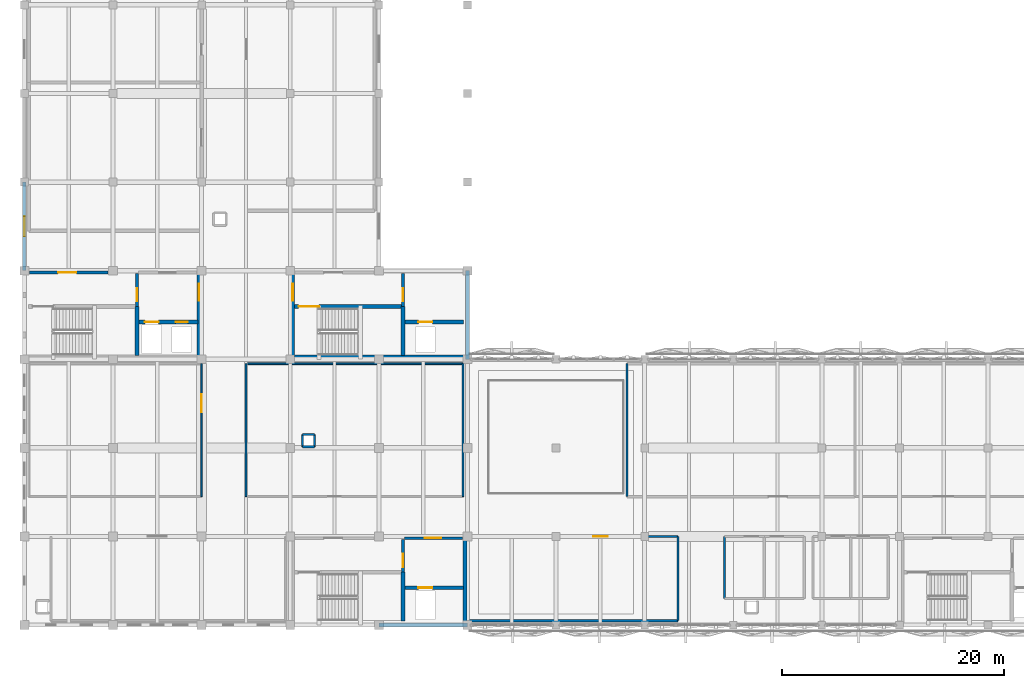
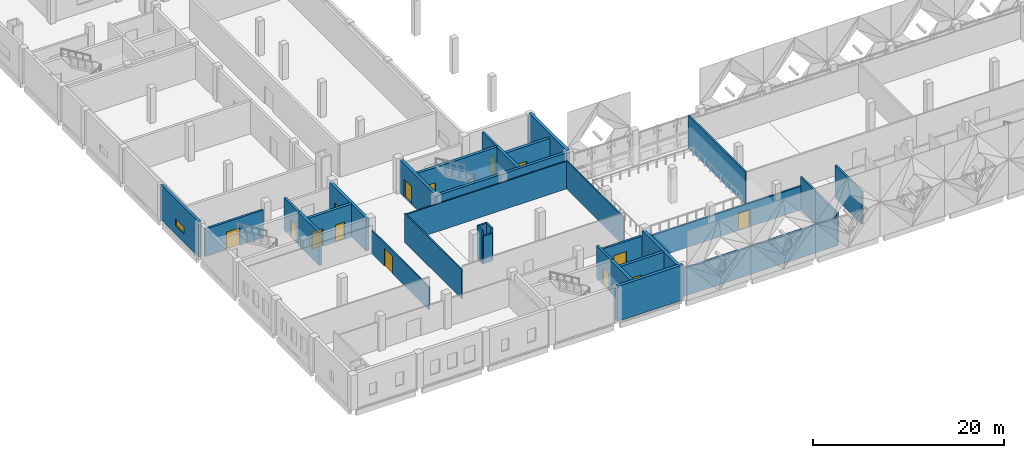
# One storey, part 22 of 37: 32 walls, 14 doors, 1 window, 15 openings.
"""IFC4 building model written with IfcOpenShell, lengths in metres."""

from ifc_helpers import new_model, si_unit, direction, frame, frame_2d, origin, place, context, subcontext, project, spatial, rectangle, extrude, material, layer, layer_set, type_object, element, fill, save


model = new_model("IFC4")

# Units and contexts
model_context = context("Model", 3, precision=1e-05, world=origin(), true_north=direction((0.0, 1.0)))
body_context = subcontext(model_context, "Body", "Model", "MODEL_VIEW")
ifc_project = project(units=[si_unit("LENGTHUNIT", "METRE"), si_unit("AREAUNIT", "SQUARE_METRE"), si_unit("VOLUMEUNIT", "CUBIC_METRE"), si_unit("PLANEANGLEUNIT", "RADIAN"), si_unit("MASSUNIT", "GRAM", prefix="KILO")], contexts=[model_context])

# Site, building, storey
site_placement = place(None, origin())
site = spatial("IfcSite", under=ifc_project, at=site_placement, CompositionType="ELEMENT")
building_placement = place(site_placement, origin())
building = spatial("IfcBuilding", under=site, at=building_placement, Name="Qorikala Patio Media Centre", CompositionType="ELEMENT")
storey_placement = place(building_placement, frame((0.0, 0.0, 14.39990234375)))
storey = spatial("IfcBuildingStorey", under=building, at=storey_placement, Name="L03", CompositionType="ELEMENT", Elevation=14.39990234375)

# Walls
ifc_material_1 = material(Name="Concrete C35/45", Category="concrete")
ifc_layer_1 = layer(ifc_material_1, 0.35009765625)
ifc_layer_set_1 = layer_set([ifc_layer_1], Name="Concrete C35/45")
wall_type_1 = type_object("IfcWallType", Name="WL-CORE-350", PredefinedType="SHEAR", material=ifc_layer_set_1)
wall_1_placement = place(storey_placement, frame((37.175048828125, 3.35009765625, 0.0), z_axis=(0.0, 0.0, 1.0), x_axis=(0.0, 1.0, 0.0)))
element("IfcWall", 1, at=wall_1_placement, inside=storey, type_object=wall_type_1, Name="L03 Interior Wall CW-L03-C1-SE", PredefinedType="SHEAR", context=body_context, shape_type="SweptSolid", body=[
    extrude(rectangle(XDim=4.4248046875, YDim=0.35009765625, at=frame_2d((2.21240234375, 0.0))), origin(), (0.0, 0.0, 1.0), 4.2001953125),
])
wall_2_placement = place(storey_placement, frame((42.77490234375, 3.199951171875, 0.0), z_axis=(0.0, 0.0, 1.0), x_axis=(0.0, 1.0, 0.0)))
element("IfcWall", 2, at=wall_2_placement, inside=storey, type_object=wall_type_1, Name="L03 Interior Wall CW-L03-C1-EE", PredefinedType="SHEAR", context=body_context, shape_type="SweptSolid", body=[
    extrude(rectangle(XDim=7.60009765625, YDim=0.35009765625, at=frame_2d((3.800048828125, 0.0))), origin(), (0.0, 0.0, 1.0), 4.2001953125),
])

# Wall, opening, door
wall_3_placement = place(storey_placement, frame((37.175048828125, 6.375, 0.0), z_axis=(0.0, 0.0, 1.0), x_axis=(1.0, 0.0, 0.0)))
wall_3 = element("IfcWall", 3, at=wall_3_placement, inside=storey, type_object=wall_type_1, Name="L03 Interior Wall CW-L03-C1-LFN", PredefinedType="SHEAR", context=body_context, shape_type="SweptSolid", body=[
    extrude(rectangle(XDim=5.474853515625, YDim=0.35009765625, at=frame_2d((2.7373046875, 0.0))), origin(), (0.0, 0.0, 1.0), 4.2001953125),
])
opening_1_placement = place(wall_3_placement, frame((1.39990234375, 0.0, 0.0)))
opening_1 = element("IfcOpeningElement", 4, at=opening_1_placement, cuts=wall_3, Name="Opening LD05", PredefinedType="OPENING", context=body_context, shape_type="SweptSolid", body=[
    extrude(rectangle(XDim=1.25, YDim=2.25, at=frame_2d((0.625, 1.125))), frame((0.0, 0.18505859375, 0.0), z_axis=(0.0, -1.0, 0.0), x_axis=(1.0, 0.0, 0.0)), (0.0, 0.0, 1.0), 0.3701171875),
])
ifc_material_2 = material(Name="Brushed Bronze Stainless Steel", Category="steel")
door_type_1 = type_object("IfcDoorType", Name="DR-LD-125X225", OperationType="DOUBLE_DOOR_SLIDING", PredefinedType="DOOR", material=ifc_material_2)
door_1_placement = place(opening_1_placement, origin())
door_1 = element("IfcDoor", 5, at=door_1_placement, inside=storey, type_object=door_type_1, Name="L03 Lift LF-01 Sliding Landing Door", OperationType="DOUBLE_DOOR_SLIDING", OverallHeight=2.25, OverallWidth=1.25, PredefinedType="DOOR", context=body_context, shape_type="SweptSolid", body=[
    extrude(rectangle(XDim=1.25, YDim=2.25, at=frame_2d((0.625, 1.125))), frame((0.0, 0.02490234375, 0.0), z_axis=(0.0, -1.0, 0.0), x_axis=(1.0, 0.0, 0.0)), (0.0, 0.0, 1.0), 0.050048828125),
])
fill(opening_1, door_1)

# Wall
wall_4_placement = place(storey_placement, frame((13.175048828125, 27.35009765625, 0.0), z_axis=(0.0, 0.0, 1.0), x_axis=(0.0, 1.0, 0.0)))
element("IfcWall", 6, at=wall_4_placement, inside=storey, type_object=wall_type_1, Name="L03 Interior Wall CW-L03-C2-SE", PredefinedType="SHEAR", context=body_context, shape_type="SweptSolid", body=[
    extrude(rectangle(XDim=4.4248046875, YDim=0.35009765625, at=frame_2d((2.21240234375, 0.0))), origin(), (0.0, 0.0, 1.0), 4.2001953125),
])

# Wall, opening, door
wall_5_placement = place(storey_placement, frame((18.77490234375, 27.199951171875, 0.0), z_axis=(0.0, 0.0, 1.0), x_axis=(0.0, 1.0, 0.0)))
wall_5 = element("IfcWall", 7, at=wall_5_placement, inside=storey, type_object=wall_type_1, Name="L03 Interior Wall CW-L03-C2-EE", PredefinedType="SHEAR", context=body_context, shape_type="SweptSolid", body=[
    extrude(rectangle(XDim=7.60009765625, YDim=0.35009765625, at=frame_2d((3.800048828125, 0.0))), origin(), (0.0, 0.0, 1.0), 4.2001953125),
])
opening_2_placement = place(wall_5_placement, frame((5.10009765625, 0.0, 0.0)))
opening_2 = element("IfcOpeningElement", 8, at=opening_2_placement, cuts=wall_5, Name="Opening D079", PredefinedType="OPENING", context=body_context, shape_type="SweptSolid", body=[
    extrude(rectangle(XDim=1.5, YDim=2.199951171875, at=frame_2d((0.75, 1.10009765625))), frame((0.0, 0.18505859375, 0.0), z_axis=(0.0, -1.0, 0.0), x_axis=(1.0, 0.0, 0.0)), (0.0, 0.0, 1.0), 0.3701171875),
])
ifc_material_3 = material(Name="Powder-Coated Acoustic Fire Steel", Category="steel")
door_type_2 = type_object("IfcDoorType", Name="DR-FD60-150X220", OperationType="DOUBLE_DOOR_SINGLE_SWING", PredefinedType="DOOR", material=ifc_material_3)
door_2_placement = place(opening_2_placement, origin())
door_2 = element("IfcDoor", 9, at=door_2_placement, inside=storey, type_object=door_type_2, Name="L03 Core C2 East Corridor Fire Door", OperationType="DOUBLE_DOOR_SINGLE_SWING", OverallHeight=2.199951171875, OverallWidth=1.5, PredefinedType="DOOR", context=body_context, shape_type="SweptSolid", body=[
    extrude(rectangle(XDim=1.5, YDim=2.199951171875, at=frame_2d((0.75, 1.10009765625))), frame((0.0, 0.02490234375, 0.0), z_axis=(0.0, -1.0, 0.0), x_axis=(1.0, 0.0, 0.0)), (0.0, 0.0, 1.0), 0.050048828125),
])
fill(opening_2, door_2)

# Wall, openings, doors
wall_6_placement = place(storey_placement, frame((13.175048828125, 30.375, 0.0), z_axis=(0.0, 0.0, 1.0), x_axis=(1.0, 0.0, 0.0)))
wall_6 = element("IfcWall", 10, at=wall_6_placement, inside=storey, type_object=wall_type_1, Name="L03 Interior Wall CW-L03-C2-LFN", PredefinedType="SHEAR", context=body_context, shape_type="SweptSolid", body=[
    extrude(rectangle(XDim=5.474853515625, YDim=0.35009765625, at=frame_2d((2.7373046875, 0.0))), origin(), (0.0, 0.0, 1.0), 4.2001953125),
])
opening_3_placement = place(wall_6_placement, frame((0.699951171875, 0.0, 0.0)))
opening_3 = element("IfcOpeningElement", 11, at=opening_3_placement, cuts=wall_6, Name="Opening LD16", PredefinedType="OPENING", context=body_context, shape_type="SweptSolid", body=[
    extrude(rectangle(XDim=1.25, YDim=2.25, at=frame_2d((0.625, 1.125))), frame((0.0, 0.18505859375, 0.0), z_axis=(0.0, -1.0, 0.0), x_axis=(1.0, 0.0, 0.0)), (0.0, 0.0, 1.0), 0.3701171875),
])
opening_4_placement = place(wall_6_placement, frame((3.47509765625, 0.0, 0.0)))
opening_4 = element("IfcOpeningElement", 12, at=opening_4_placement, cuts=wall_6, Name="Opening LD17", PredefinedType="OPENING", context=body_context, shape_type="SweptSolid", body=[
    extrude(rectangle(XDim=1.10009765625, YDim=2.199951171875, at=frame_2d((0.550048828125, 1.10009765625))), frame((0.0, 0.18505859375, 0.0), z_axis=(0.0, -1.0, 0.0), x_axis=(1.0, 0.0, 0.0)), (0.0, 0.0, 1.0), 0.3701171875),
])
door_type_3 = type_object("IfcDoorType", Name="DR-LD-110X220", OperationType="DOUBLE_DOOR_SLIDING", PredefinedType="DOOR", material=ifc_material_2)
door_3_placement = place(opening_4_placement, origin())
door_3 = element("IfcDoor", 13, at=door_3_placement, inside=storey, type_object=door_type_3, Name="L03 Lift LP-04 Sliding Landing Door", OperationType="DOUBLE_DOOR_SLIDING", OverallHeight=2.199951171875, OverallWidth=1.10009765625, PredefinedType="DOOR", context=body_context, shape_type="SweptSolid", body=[
    extrude(rectangle(XDim=1.10009765625, YDim=2.199951171875, at=frame_2d((0.550048828125, 1.10009765625))), frame((0.0, 0.02490234375, 0.0), z_axis=(0.0, -1.0, 0.0), x_axis=(1.0, 0.0, 0.0)), (0.0, 0.0, 1.0), 0.050048828125),
])
fill(opening_4, door_3)
door_4_placement = place(opening_3_placement, origin())
door_4 = element("IfcDoor", 14, at=door_4_placement, inside=storey, type_object=door_type_1, Name="L03 Lift LF-02 Sliding Landing Door", OperationType="DOUBLE_DOOR_SLIDING", OverallHeight=2.25, OverallWidth=1.25, PredefinedType="DOOR", context=body_context, shape_type="SweptSolid", body=[
    extrude(rectangle(XDim=1.25, YDim=2.25, at=frame_2d((0.625, 1.125))), frame((0.0, 0.02490234375, 0.0), z_axis=(0.0, -1.0, 0.0), x_axis=(1.0, 0.0, 0.0)), (0.0, 0.0, 1.0), 0.050048828125),
])
fill(opening_3, door_4)

# Wall
wall_7_placement = place(storey_placement, frame((27.199951171875, 27.22509765625, 0.0), z_axis=(0.0, 0.0, 1.0), x_axis=(1.0, 0.0, 0.0)))
element("IfcWall", 15, at=wall_7_placement, inside=storey, type_object=wall_type_1, Name="L03 Core C5 Stair South Wall", PredefinedType="SHEAR", context=body_context, shape_type="SweptSolid", body=[
    extrude(rectangle(XDim=15.60009765625, YDim=0.35009765625, at=frame_2d((7.800048828125, 0.0))), origin(), (0.0, 0.0, 1.0), 4.2001953125),
])

# Wall, opening, door
wall_8_placement = place(storey_placement, frame((27.22509765625, 27.199951171875, 0.0), z_axis=(0.0, 0.0, 1.0), x_axis=(0.0, 1.0, 0.0)))
wall_8 = element("IfcWall", 16, at=wall_8_placement, inside=storey, type_object=wall_type_1, Name="L03 Interior Wall CW-L03-C5-SW", PredefinedType="SHEAR", context=body_context, shape_type="SweptSolid", body=[
    extrude(rectangle(XDim=7.60009765625, YDim=0.35009765625, at=frame_2d((3.800048828125, 0.0))), origin(), (0.0, 0.0, 1.0), 4.2001953125),
])
opening_5_placement = place(wall_8_placement, frame((5.10009765625, 0.0, 0.0)))
opening_5 = element("IfcOpeningElement", 17, at=opening_5_placement, cuts=wall_8, Name="Opening D162", PredefinedType="OPENING", context=body_context, shape_type="SweptSolid", body=[
    extrude(rectangle(XDim=1.5, YDim=2.199951171875, at=frame_2d((0.75, 1.10009765625))), frame((0.0, 0.18505859375, 0.0), z_axis=(0.0, -1.0, 0.0), x_axis=(1.0, 0.0, 0.0)), (0.0, 0.0, 1.0), 0.3701171875),
])
door_5_placement = place(opening_5_placement, origin())
door_5 = element("IfcDoor", 18, at=door_5_placement, inside=storey, type_object=door_type_2, Name="L03 Core C5 West Corridor Fire Door", OperationType="DOUBLE_DOOR_SINGLE_SWING", OverallHeight=2.199951171875, OverallWidth=1.5, PredefinedType="DOOR", context=body_context, shape_type="SweptSolid", body=[
    extrude(rectangle(XDim=1.5, YDim=2.199951171875, at=frame_2d((0.75, 1.10009765625))), frame((0.0, 0.02490234375, 0.0), z_axis=(0.0, -1.0, 0.0), x_axis=(1.0, 0.0, 0.0)), (0.0, 0.0, 1.0), 0.050048828125),
])
fill(opening_5, door_5)

# Wall
wall_9_placement = place(storey_placement, frame((37.175048828125, 27.35009765625, 0.0), z_axis=(0.0, 0.0, 1.0), x_axis=(0.0, 1.0, 0.0)))
element("IfcWall", 19, at=wall_9_placement, inside=storey, type_object=wall_type_1, Name="L03 Interior Wall CW-L03-C5-SE", PredefinedType="SHEAR", context=body_context, shape_type="SweptSolid", body=[
    extrude(rectangle(XDim=4.4248046875, YDim=0.35009765625, at=frame_2d((2.21240234375, 0.0))), origin(), (0.0, 0.0, 1.0), 4.2001953125),
])

# Wall, opening, door
wall_10_placement = place(storey_placement, frame((27.35009765625, 31.77490234375, 0.0), z_axis=(0.0, 0.0, 1.0), x_axis=(1.0, 0.0, 0.0)))
wall_10 = element("IfcWall", 20, at=wall_10_placement, inside=storey, type_object=wall_type_1, Name="L03 Interior Wall CW-L03-C5-SN", PredefinedType="SHEAR", context=body_context, shape_type="SweptSolid", body=[
    extrude(rectangle(XDim=9.824951171875, YDim=0.35009765625, at=frame_2d((4.91259765625, 0.0))), origin(), (0.0, 0.0, 1.0), 4.2001953125),
])
opening_6_placement = place(wall_10_placement, frame((0.39990234375, 0.0, 0.0)))
opening_6 = element("IfcOpeningElement", 21, at=opening_6_placement, cuts=wall_10, Name="Opening D159", PredefinedType="OPENING", context=body_context, shape_type="SweptSolid", body=[
    extrude(rectangle(XDim=1.85009765625, YDim=2.25, at=frame_2d((0.925048828125, 1.125))), frame((0.0, 0.18505859375, 0.0), z_axis=(0.0, -1.0, 0.0), x_axis=(1.0, 0.0, 0.0)), (0.0, 0.0, 1.0), 0.3701171875),
])
door_type_4 = type_object("IfcDoorType", Name="DR-FD60-185X225", OperationType="DOUBLE_DOOR_SINGLE_SWING", PredefinedType="DOOR", material=ifc_material_3)
door_6_placement = place(opening_6_placement, origin())
door_6 = element("IfcDoor", 22, at=door_6_placement, inside=storey, type_object=door_type_4, Name="L03 Stair ST-5 Fire Door", OperationType="DOUBLE_DOOR_SINGLE_SWING", OverallHeight=2.25, OverallWidth=1.85009765625, PredefinedType="DOOR", context=body_context, shape_type="SweptSolid", body=[
    extrude(rectangle(XDim=1.85009765625, YDim=2.25, at=frame_2d((0.925048828125, 1.125))), frame((0.0, 0.02490234375, 0.0), z_axis=(0.0, -1.0, 0.0), x_axis=(1.0, 0.0, 0.0)), (0.0, 0.0, 1.0), 0.050048828125),
])
fill(opening_6, door_6)

wall_11_placement = place(storey_placement, frame((37.175048828125, 30.375, 0.0), z_axis=(0.0, 0.0, 1.0), x_axis=(1.0, 0.0, 0.0)))
wall_11 = element("IfcWall", 23, at=wall_11_placement, inside=storey, type_object=wall_type_1, Name="L03 Interior Wall CW-L03-C5-LFN", PredefinedType="SHEAR", context=body_context, shape_type="SweptSolid", body=[
    extrude(rectangle(XDim=5.474853515625, YDim=0.35009765625, at=frame_2d((2.7373046875, 0.0))), origin(), (0.0, 0.0, 1.0), 4.2001953125),
])
opening_7_placement = place(wall_11_placement, frame((1.39990234375, 0.0, 0.0)))
opening_7 = element("IfcOpeningElement", 24, at=opening_7_placement, cuts=wall_11, Name="Opening LD44", PredefinedType="OPENING", context=body_context, shape_type="SweptSolid", body=[
    extrude(rectangle(XDim=1.25, YDim=2.25, at=frame_2d((0.625, 1.125))), frame((0.0, 0.18505859375, 0.0), z_axis=(0.0, -1.0, 0.0), x_axis=(1.0, 0.0, 0.0)), (0.0, 0.0, 1.0), 0.3701171875),
])
door_7_placement = place(opening_7_placement, origin())
door_7 = element("IfcDoor", 25, at=door_7_placement, inside=storey, type_object=door_type_1, Name="L03 Lift LP-03 Sliding Landing Door", OperationType="DOUBLE_DOOR_SLIDING", OverallHeight=2.25, OverallWidth=1.25, PredefinedType="DOOR", context=body_context, shape_type="SweptSolid", body=[
    extrude(rectangle(XDim=1.25, YDim=2.25, at=frame_2d((0.625, 1.125))), frame((0.0, 0.02490234375, 0.0), z_axis=(0.0, -1.0, 0.0), x_axis=(1.0, 0.0, 0.0)), (0.0, 0.0, 1.0), 0.050048828125),
])
fill(opening_7, door_7)

# Wall, opening, window
ifc_material_4 = material(Name="Ivory Lime Stucco and Concrete C35/45", Category="concrete")
ifc_layer_2 = layer(ifc_material_4, 0.320068359375)
ifc_layer_set_2 = layer_set([ifc_layer_2], Name="Ivory Lime Stucco and Concrete C35/45")
wall_type_2 = type_object("IfcWallType", Name="WL-EXT-320", PredefinedType="SOLIDWALL", material=ifc_layer_set_2)
wall_12_placement = place(storey_placement, frame((3.0, 35.0, 0.0), z_axis=(0.0, 0.0, 1.0), x_axis=(0.0, 1.0, 0.0)))
wall_12 = element("IfcWall", 26, at=wall_12_placement, inside=storey, type_object=wall_type_2, Name="L03 Exterior Wall WL-L03-EXT-0013", PredefinedType="SOLIDWALL", context=body_context, shape_type="SweptSolid", body=[
    extrude(rectangle(XDim=8.0, YDim=0.320068359375, at=frame_2d((4.0, 0.0))), origin(), (0.0, 0.0, 1.0), 4.5),
])
opening_8_placement = place(wall_12_placement, frame((3.10009765625, 0.0, 1.10009765625)))
opening_8 = element("IfcOpeningElement", 27, at=opening_8_placement, cuts=wall_12, Name="Opening WL-180", PredefinedType="OPENING", context=body_context, shape_type="SweptSolid", body=[
    extrude(rectangle(XDim=1.800048828125, YDim=0.85009765625, at=frame_2d((0.89990234375, 0.425048828125))), frame((0.0, 0.169921875, 0.0), z_axis=(0.0, -1.0, 0.0), x_axis=(1.0, 0.0, 0.0)), (0.0, 0.0, 1.0), 0.340087890625),
])
ifc_material_5 = material(Name="Acoustic Laminated Low-E Glass", Category="glass")
window_type = type_object("IfcWindowType", Name="WN-CL-180X085", PartitioningType="SINGLE_PANEL", PredefinedType="WINDOW", material=ifc_material_5)
window_placement = place(opening_8_placement, origin())
window = element("IfcWindow", 28, at=window_placement, inside=storey, type_object=window_type, Name="L03 High Acoustic Clerestory Window 0195", OverallHeight=0.85009765625, OverallWidth=1.800048828125, PartitioningType="SINGLE_PANEL", PredefinedType="WINDOW", context=body_context, shape_type="SweptSolid", body=[
    extrude(rectangle(XDim=1.800048828125, YDim=0.85009765625, at=frame_2d((0.89990234375, 0.425048828125))), frame((0.0, 0.030029296875, 0.0), z_axis=(0.0, -1.0, 0.0), x_axis=(1.0, 0.0, 0.0)), (0.0, 0.0, 1.0), 0.06005859375),
])
fill(opening_8, window)

# Wall, opening, door
ifc_layer_3 = layer(ifc_material_1, 0.25)
ifc_layer_set_3 = layer_set([ifc_layer_3], Name="Concrete C35/45")
wall_type_3 = type_object("IfcWallType", Name="WL-FFL-250", PredefinedType="PARTITIONING", material=ifc_layer_set_3)
wall_13_placement = place(storey_placement, frame((37.175048828125, 7.77490234375, 0.0), z_axis=(0.0, 0.0, 1.0), x_axis=(0.0, 1.0, 0.0)))
wall_13 = element("IfcWall", 29, at=wall_13_placement, inside=storey, type_object=wall_type_3, Name="L03 Interior Wall CW-L03-C1-LBD", PredefinedType="PARTITIONING", context=body_context, shape_type="SweptSolid", body=[
    extrude(rectangle(XDim=2.97509765625, YDim=0.25, at=frame_2d((1.487548828125, 0.0))), origin(), (0.0, 0.0, 1.0), 4.2001953125),
])
opening_9_placement = place(wall_13_placement, frame((0.449951171875, 0.0, 0.0)))
opening_9 = element("IfcOpeningElement", 30, at=opening_9_placement, cuts=wall_13, Name="Opening D040", PredefinedType="OPENING", context=body_context, shape_type="SweptSolid", body=[
    extrude(rectangle(XDim=1.199951171875, YDim=2.199951171875, at=frame_2d((0.60009765625, 1.10009765625))), frame((0.0, 0.135009765625, 0.0), z_axis=(0.0, -1.0, 0.0), x_axis=(1.0, 0.0, 0.0)), (0.0, 0.0, 1.0), 0.27001953125),
])
ifc_material_6 = material(Name="Acoustic Fire Timber and Steel", Category="steel")
door_type_5 = type_object("IfcDoorType", Name="DR-FD60-120X220", OperationType="NOTDEFINED", PredefinedType="DOOR", material=ifc_material_6)
door_8_placement = place(opening_9_placement, origin())
door_8 = element("IfcDoor", 31, at=door_8_placement, inside=storey, type_object=door_type_5, Name="L03 Core C1 Firefighting Lobby Cross Door", OperationType="SINGLE_SWING_LEFT", OverallHeight=2.199951171875, OverallWidth=1.199951171875, PredefinedType="DOOR", context=body_context, shape_type="SweptSolid", body=[
    extrude(rectangle(XDim=1.199951171875, YDim=2.199951171875, at=frame_2d((0.60009765625, 1.10009765625))), frame((0.0, 0.02490234375, 0.0), z_axis=(0.0, -1.0, 0.0), x_axis=(1.0, 0.0, 0.0)), (0.0, 0.0, 1.0), 0.050048828125),
])
fill(opening_9, door_8)

wall_14_placement = place(storey_placement, frame((37.300048828125, 10.85009765625, 0.0), z_axis=(0.0, 0.0, 1.0), x_axis=(1.0, 0.0, 0.0)))
wall_14 = element("IfcWall", 32, at=wall_14_placement, inside=storey, type_object=wall_type_3, Name="L03 Interior Wall CW-L03-C1-CN2", PredefinedType="PARTITIONING", context=body_context, shape_type="SweptSolid", body=[
    extrude(rectangle(XDim=5.25, YDim=0.25, at=frame_2d((2.625, 0.0))), origin(), (0.0, 0.0, 1.0), 3.53515625),
])
opening_10_placement = place(wall_14_placement, frame((1.85009765625, 0.0, 0.0)))
opening_10 = element("IfcOpeningElement", 33, at=opening_10_placement, cuts=wall_14, Name="Opening D042", PredefinedType="OPENING", context=body_context, shape_type="SweptSolid", body=[
    extrude(rectangle(XDim=1.5, YDim=2.199951171875, at=frame_2d((0.75, 1.10009765625))), frame((0.0, 0.135009765625, 0.0), z_axis=(0.0, -1.0, 0.0), x_axis=(1.0, 0.0, 0.0)), (0.0, 0.0, 1.0), 0.27001953125),
])
door_9_placement = place(opening_10_placement, origin())
door_9 = element("IfcDoor", 34, at=door_9_placement, inside=storey, type_object=door_type_2, Name="L03 Core C1 Firefighting Lobby Door", OperationType="DOUBLE_DOOR_SINGLE_SWING", OverallHeight=2.199951171875, OverallWidth=1.5, PredefinedType="DOOR", context=body_context, shape_type="SweptSolid", body=[
    extrude(rectangle(XDim=1.5, YDim=2.199951171875, at=frame_2d((0.75, 1.10009765625))), frame((0.0, 0.02490234375, 0.0), z_axis=(0.0, -1.0, 0.0), x_axis=(1.0, 0.0, 0.0)), (0.0, 0.0, 1.0), 0.050048828125),
])
fill(opening_10, door_9)

wall_15_placement = place(storey_placement, frame((13.175048828125, 31.77490234375, 0.0), z_axis=(0.0, 0.0, 1.0), x_axis=(0.0, 1.0, 0.0)))
wall_15 = element("IfcWall", 35, at=wall_15_placement, inside=storey, type_object=wall_type_3, Name="L03 Interior Wall CW-L03-C2-LBD", PredefinedType="PARTITIONING", context=body_context, shape_type="SweptSolid", body=[
    extrude(rectangle(XDim=2.97509765625, YDim=0.25, at=frame_2d((1.487548828125, 0.0))), origin(), (0.0, 0.0, 1.0), 4.2001953125),
])
opening_11_placement = place(wall_15_placement, frame((0.449951171875, 0.0, 0.0)))
opening_11 = element("IfcOpeningElement", 36, at=opening_11_placement, cuts=wall_15, Name="Opening D076", PredefinedType="OPENING", context=body_context, shape_type="SweptSolid", body=[
    extrude(rectangle(XDim=1.199951171875, YDim=2.199951171875, at=frame_2d((0.60009765625, 1.10009765625))), frame((0.0, 0.135009765625, 0.0), z_axis=(0.0, -1.0, 0.0), x_axis=(1.0, 0.0, 0.0)), (0.0, 0.0, 1.0), 0.27001953125),
])
door_10_placement = place(opening_11_placement, origin())
door_10 = element("IfcDoor", 37, at=door_10_placement, inside=storey, type_object=door_type_5, Name="L03 Core C2 Firefighting Lobby Cross Door", OperationType="SINGLE_SWING_LEFT", OverallHeight=2.199951171875, OverallWidth=1.199951171875, PredefinedType="DOOR", context=body_context, shape_type="SweptSolid", body=[
    extrude(rectangle(XDim=1.199951171875, YDim=2.199951171875, at=frame_2d((0.60009765625, 1.10009765625))), frame((0.0, 0.02490234375, 0.0), z_axis=(0.0, -1.0, 0.0), x_axis=(1.0, 0.0, 0.0)), (0.0, 0.0, 1.0), 0.050048828125),
])
fill(opening_11, door_10)

wall_16_placement = place(storey_placement, frame((3.449951171875, 34.85009765625, 0.0), z_axis=(0.0, 0.0, 1.0), x_axis=(1.0, 0.0, 0.0)))
wall_16 = element("IfcWall", 38, at=wall_16_placement, inside=storey, type_object=wall_type_3, Name="L03 Interior Wall CW-L03-C2-CN1", PredefinedType="PARTITIONING", context=body_context, shape_type="SweptSolid", body=[
    extrude(rectangle(XDim=7.10009765625, YDim=0.25, at=frame_2d((3.550048828125, 0.0))), origin(), (0.0, 0.0, 1.0), 3.53515625),
])
opening_12_placement = place(wall_16_placement, frame((2.60009765625, 0.0, 0.0)))
opening_12 = element("IfcOpeningElement", 39, at=opening_12_placement, cuts=wall_16, Name="Opening D077", PredefinedType="OPENING", context=body_context, shape_type="SweptSolid", body=[
    extrude(rectangle(XDim=1.64990234375, YDim=2.25, at=frame_2d((0.824951171875, 1.125))), frame((0.0, 0.135009765625, 0.0), z_axis=(0.0, -1.0, 0.0), x_axis=(1.0, 0.0, 0.0)), (0.0, 0.0, 1.0), 0.27001953125),
])
door_type_6 = type_object("IfcDoorType", Name="DR-FD60-165X225", OperationType="DOUBLE_DOOR_SINGLE_SWING", PredefinedType="DOOR", material=ifc_material_3)
door_11_placement = place(opening_12_placement, frame((1.64990234375, 0.0, 0.0), z_axis=(0.0, 0.0, 1.0), x_axis=(-1.0, 0.0, 0.0)))
door_11 = element("IfcDoor", 40, at=door_11_placement, inside=storey, type_object=door_type_6, Name="L03 Core C2 Vestibule Door", OperationType="DOUBLE_DOOR_SINGLE_SWING", OverallHeight=2.25, OverallWidth=1.64990234375, PredefinedType="DOOR", context=body_context, shape_type="SweptSolid", body=[
    extrude(rectangle(XDim=1.64990234375, YDim=2.25, at=frame_2d((0.824951171875, 1.125))), frame((0.0, 0.02490234375, 0.0), z_axis=(0.0, -1.0, 0.0), x_axis=(1.0, 0.0, 0.0)), (0.0, 0.0, 1.0), 0.050048828125),
])
fill(opening_12, door_11)

wall_17_placement = place(storey_placement, frame((37.175048828125, 31.77490234375, 0.0), z_axis=(0.0, 0.0, 1.0), x_axis=(0.0, 1.0, 0.0)))
wall_17 = element("IfcWall", 41, at=wall_17_placement, inside=storey, type_object=wall_type_3, Name="L03 Interior Wall CW-L03-C5-LBD", PredefinedType="PARTITIONING", context=body_context, shape_type="SweptSolid", body=[
    extrude(rectangle(XDim=2.97509765625, YDim=0.25, at=frame_2d((1.487548828125, 0.0))), origin(), (0.0, 0.0, 1.0), 4.2001953125),
])
opening_13_placement = place(wall_17_placement, frame((0.449951171875, 0.0, 0.0)))
opening_13 = element("IfcOpeningElement", 42, at=opening_13_placement, cuts=wall_17, Name="Opening D160", PredefinedType="OPENING", context=body_context, shape_type="SweptSolid", body=[
    extrude(rectangle(XDim=1.199951171875, YDim=2.199951171875, at=frame_2d((0.60009765625, 1.10009765625))), frame((0.0, 0.135009765625, 0.0), z_axis=(0.0, -1.0, 0.0), x_axis=(1.0, 0.0, 0.0)), (0.0, 0.0, 1.0), 0.27001953125),
])
door_12_placement = place(opening_13_placement, origin())
door_12 = element("IfcDoor", 43, at=door_12_placement, inside=storey, type_object=door_type_5, Name="L03 Core C5 Firefighting Lobby Cross Door", OperationType="SINGLE_SWING_LEFT", OverallHeight=2.199951171875, OverallWidth=1.199951171875, PredefinedType="DOOR", context=body_context, shape_type="SweptSolid", body=[
    extrude(rectangle(XDim=1.199951171875, YDim=2.199951171875, at=frame_2d((0.60009765625, 1.10009765625))), frame((0.0, 0.02490234375, 0.0), z_axis=(0.0, -1.0, 0.0), x_axis=(1.0, 0.0, 0.0)), (0.0, 0.0, 1.0), 0.050048828125),
])
fill(opening_13, door_12)

ifc_material_7 = material(Name="Acoustic Gypsum Stud Partition")
ifc_layer_4 = layer(ifc_material_7, 0.14990234375)
ifc_layer_set_4 = layer_set([ifc_layer_4], Name="Acoustic Gypsum Stud Partition")
wall_type_4 = type_object("IfcWallType", Name="WL-PT-150", PredefinedType="PARTITIONING", material=ifc_layer_set_4)
wall_18_placement = place(storey_placement, frame((19.0, 14.60009765625, 0.0), z_axis=(0.0, 0.0, 1.0), x_axis=(0.0, 1.0, 0.0)))
wall_18 = element("IfcWall", 44, at=wall_18_placement, inside=storey, type_object=wall_type_4, Name="L03 Interior Wall WINT-L03-SEM2-E", PredefinedType="PARTITIONING", context=body_context, shape_type="SweptSolid", body=[
    extrude(rectangle(XDim=12.0, YDim=0.14990234375, at=frame_2d((6.0, 0.0))), origin(), (0.0, 0.0, 1.0), 2.93505859375),
])
opening_14_placement = place(wall_18_placement, frame((7.614013671875, 0.0, 0.0)))
opening_14 = element("IfcOpeningElement", 45, at=opening_14_placement, cuts=wall_18, Name="Opening D285", PredefinedType="OPENING", context=body_context, shape_type="SweptSolid", body=[
    extrude(rectangle(XDim=1.64990234375, YDim=2.300048828125, at=frame_2d((0.824951171875, 1.14990234375))), frame((0.0, 0.0849609375, 0.0), z_axis=(0.0, -1.0, 0.0), x_axis=(1.0, 0.0, 0.0)), (0.0, 0.0, 1.0), 0.169921875),
])
ifc_material_8 = material(Name="Solid Andean Cedar Timber", Category="wood")
door_type_7 = type_object("IfcDoorType", Name="DR-IN-165X230", OperationType="DOUBLE_DOOR_SINGLE_SWING", PredefinedType="DOOR", material=ifc_material_8)
door_13_placement = place(opening_14_placement, origin())
door_13 = element("IfcDoor", 46, at=door_13_placement, inside=storey, type_object=door_type_7, Name="Cinematography Workshop Room 2 Door 074", OperationType="DOUBLE_DOOR_SINGLE_SWING", OverallHeight=2.300048828125, OverallWidth=1.64990234375, PredefinedType="DOOR", context=body_context, shape_type="SweptSolid", body=[
    extrude(rectangle(XDim=1.64990234375, YDim=2.300048828125, at=frame_2d((0.824951171875, 1.14990234375))), frame((0.0, 0.02490234375, 0.0), z_axis=(0.0, -1.0, 0.0), x_axis=(1.0, 0.0, 0.0)), (0.0, 0.0, 1.0), 0.050048828125),
])
fill(opening_14, door_13)

# Walls
wall_19_placement = place(storey_placement, frame((42.60009765625, 14.60009765625, 0.0), z_axis=(0.0, 0.0, 1.0), x_axis=(0.0, 1.0, 0.0)))
element("IfcWall", 47, at=wall_19_placement, inside=storey, type_object=wall_type_4, Name="L03 Interior Wall WINT-L03-ED31-E", PredefinedType="PARTITIONING", context=body_context, shape_type="SweptSolid", body=[
    extrude(rectangle(XDim=12.0, YDim=0.14990234375, at=frame_2d((6.0, 0.0))), origin(), (0.0, 0.0, 1.0), 3.585205078125),
])
wall_20_placement = place(storey_placement, frame((23.0, 26.60009765625, 0.0), z_axis=(0.0, 0.0, 1.0), x_axis=(1.0, 0.0, 0.0)))
element("IfcWall", 48, at=wall_20_placement, inside=storey, type_object=wall_type_4, Name="L03 Interior Wall WINT-L03-ED31-N", PredefinedType="PARTITIONING", context=body_context, shape_type="SweptSolid", body=[
    extrude(rectangle(XDim=19.60009765625, YDim=0.14990234375, at=frame_2d((9.800048828125, 0.0))), origin(), (0.0, 0.0, 1.0), 3.53515625),
])
wall_21_placement = place(storey_placement, frame((23.0, 14.60009765625, 0.0), z_axis=(0.0, 0.0, 1.0), x_axis=(0.0, 1.0, 0.0)))
element("IfcWall", 49, at=wall_21_placement, inside=storey, type_object=wall_type_4, Name="L03 Interior Wall WINT-L03-ED31-W", PredefinedType="PARTITIONING", context=body_context, shape_type="SweptSolid", body=[
    extrude(rectangle(XDim=12.0, YDim=0.14990234375, at=frame_2d((6.0, 0.0))), origin(), (0.0, 0.0, 1.0), 3.705078125),
])
ifc_material_9 = material(Name="Acoustic Masonry and Plaster Concrete C30/37", Category="masonry")
ifc_layer_5 = layer(ifc_material_9, 0.199951171875)
ifc_layer_set_5 = layer_set([ifc_layer_5], Name="Acoustic Masonry and Plaster Concrete C30/37")
wall_type_5 = type_object("IfcWallType", Name="WL-ST-200", PredefinedType="PARTITIONING", material=ifc_layer_set_5)
wall_22_placement = place(storey_placement, frame((57.39990234375, 14.60009765625, 0.0), z_axis=(0.0, 0.0, 1.0), x_axis=(0.0, 1.0, 0.0)))
element("IfcWall", 50, at=wall_22_placement, inside=storey, type_object=wall_type_5, Name="L03 Interior Wall WINT-L03-LSTK-W", PredefinedType="PARTITIONING", context=body_context, shape_type="SweptSolid", body=[
    extrude(rectangle(XDim=12.0, YDim=0.199951171875, at=frame_2d((6.0, 0.0))), origin(), (0.0, 0.0, 1.0), 4.2001953125),
])
wall_23_placement = place(storey_placement, frame((43.0, 3.39990234375, 0.0), z_axis=(0.0, 0.0, 1.0), x_axis=(1.0, 0.0, 0.0)))
element("IfcWall", 51, at=wall_23_placement, inside=storey, type_object=wall_type_5, Name="L03 Interior Wall WINT-L03-MST1-S", PredefinedType="PARTITIONING", context=body_context, shape_type="SweptSolid", body=[
    extrude(rectangle(XDim=19.0, YDim=0.199951171875, at=frame_2d((9.5, 0.0))), origin(), (0.0, 0.0, 1.0), 3.60498046875),
])
wall_24_placement = place(storey_placement, frame((62.0, 3.39990234375, 0.0), z_axis=(0.0, 0.0, 1.0), x_axis=(0.0, 1.0, 0.0)))
element("IfcWall", 52, at=wall_24_placement, inside=storey, type_object=wall_type_5, Name="L03 Interior Wall WINT-L03-MST1-E", PredefinedType="PARTITIONING", context=body_context, shape_type="SweptSolid", body=[
    extrude(rectangle(XDim=7.60009765625, YDim=0.199951171875, at=frame_2d((3.800048828125, 0.0))), origin(), (0.0, 0.0, 1.0), 4.2001953125),
])

# Wall, opening, door
wall_25_placement = place(storey_placement, frame((43.0, 11.0, 0.0), z_axis=(0.0, 0.0, 1.0), x_axis=(1.0, 0.0, 0.0)))
wall_25 = element("IfcWall", 53, at=wall_25_placement, inside=storey, type_object=wall_type_5, Name="L03 Interior Wall WINT-L03-MST1-N", PredefinedType="PARTITIONING", context=body_context, shape_type="SweptSolid", body=[
    extrude(rectangle(XDim=19.0, YDim=0.199951171875, at=frame_2d((9.5, 0.0))), origin(), (0.0, 0.0, 1.0), 3.03515625),
])
opening_15_placement = place(wall_25_placement, frame((11.364990234375, 0.0, 0.0)))
opening_15 = element("IfcOpeningElement", 54, at=opening_15_placement, cuts=wall_25, Name="Opening D289", PredefinedType="OPENING", context=body_context, shape_type="SweptSolid", body=[
    extrude(rectangle(XDim=1.300048828125, YDim=2.199951171875, at=frame_2d((0.64990234375, 1.10009765625))), frame((0.0, 0.10986328125, 0.0), z_axis=(0.0, -1.0, 0.0), x_axis=(1.0, 0.0, 0.0)), (0.0, 0.0, 1.0), 0.219970703125),
])
door_type_8 = type_object("IfcDoorType", Name="DR-FD60-130X220", OperationType="NOTDEFINED", PredefinedType="DOOR", material=ifc_material_6)
door_14_placement = place(opening_15_placement, origin())
door_14 = element("IfcDoor", 55, at=door_14_placement, inside=storey, type_object=door_type_8, Name="Digital Mastering Suite 301 Door 078", OperationType="SINGLE_SWING_RIGHT", OverallHeight=2.199951171875, OverallWidth=1.300048828125, PredefinedType="DOOR", context=body_context, shape_type="SweptSolid", body=[
    extrude(rectangle(XDim=1.300048828125, YDim=2.199951171875, at=frame_2d((0.64990234375, 1.10009765625))), frame((0.0, 0.02490234375, 0.0), z_axis=(0.0, -1.0, 0.0), x_axis=(1.0, 0.0, 0.0)), (0.0, 0.0, 1.0), 0.050048828125),
])
fill(opening_15, door_14)

# Walls
wall_26_placement = place(storey_placement, frame((66.199951171875, 5.39990234375, 0.0), z_axis=(0.0, 0.0, 1.0), x_axis=(0.0, 1.0, 0.0)))
element("IfcWall", 56, at=wall_26_placement, inside=storey, type_object=wall_type_5, Name="L03 Interior Wall WINT-L03-L3WMWC-W", PredefinedType="PARTITIONING", context=body_context, shape_type="SweptSolid", body=[
    extrude(rectangle(XDim=5.60009765625, YDim=0.199951171875, at=frame_2d((2.800048828125, 0.0))), origin(), (0.0, 0.0, 1.0), 4.2001953125),
])
wall_27_placement = place(storey_placement, frame((28.10009765625, 19.10009765625, 0.0), z_axis=(0.0, 0.0, 1.0), x_axis=(1.0, 0.0, 0.0)))
element("IfcWall", 57, at=wall_27_placement, inside=storey, type_object=wall_type_5, Name="L03 Interior Wall RSW-4-L03-S", PredefinedType="PARTITIONING", context=body_context, shape_type="SweptSolid", body=[
    extrude(rectangle(XDim=1.099853515625, YDim=0.199951171875, at=frame_2d((0.5498046875, 0.0))), origin(), (0.0, 0.0, 1.0), 3.53515625),
])
for number, where, z_axis, x_axis, name in (
    (58, (28.10009765625, 20.199951171875, 0.0), (0.0, 0.0, 1.0), (1.0, 0.0, 0.0), "L03 Interior Wall RSW-4-L03-N"),
    (59, (28.10009765625, 19.10009765625, 0.0), (0.0, 0.0, 1.0), (0.0, 1.0, 0.0), "L03 Interior Wall RSW-4-L03-W"),
    (60, (29.199951171875, 19.10009765625, 0.0), (0.0, 0.0, 1.0), (0.0, 1.0, 0.0), "L03 Interior Wall RSW-4-L03-E"),
):
    element("IfcWall", number, at=place(storey_placement, frame(where, z_axis=z_axis, x_axis=x_axis)), inside=storey, type_object=wall_type_5, Name=name, PredefinedType="PARTITIONING", context=body_context, shape_type="SweptSolid", body=[
        extrude(rectangle(XDim=1.099853515625, YDim=0.199951171875, at=frame_2d((0.5498046875, 0.0))), origin(), (0.0, 0.0, 1.0), 4.2001953125),
    ])
ifc_material_10 = material(Name="Comanche Granite and Concrete C35/45", Category="masonry")
ifc_layer_6 = layer(ifc_material_10, 0.3798828125)
ifc_layer_set_6 = layer_set([ifc_layer_6], Name="Comanche Granite and Concrete C35/45")
wall_type_6 = type_object("IfcWallType", Name="WL-STONE-380", PredefinedType="SOLIDWALL", material=ifc_layer_set_6)
for number, where, z_axis, x_axis, name in (
    (61, (43.0, 3.0, 0.0), (0.0, 0.0, 1.0), (-1.0, 0.0, 0.0), "L03 Core C1 Exterior Shear Wall"),
    (62, (43.0, 35.0, 0.0), (0.0, 0.0, 1.0), (0.0, -1.0, 0.0), "L03 Core C5 Exterior Shear Wall"),
):
    element("IfcWall", number, at=place(storey_placement, frame(where, z_axis=z_axis, x_axis=x_axis)), inside=storey, type_object=wall_type_6, Name=name, PredefinedType="SOLIDWALL", context=body_context, shape_type="SweptSolid", body=[
        extrude(rectangle(XDim=8.0, YDim=0.3798828125, at=frame_2d((4.0, 0.0))), origin(), (0.0, 0.0, 1.0), 4.5),
    ])

save(model, "model.ifc")
